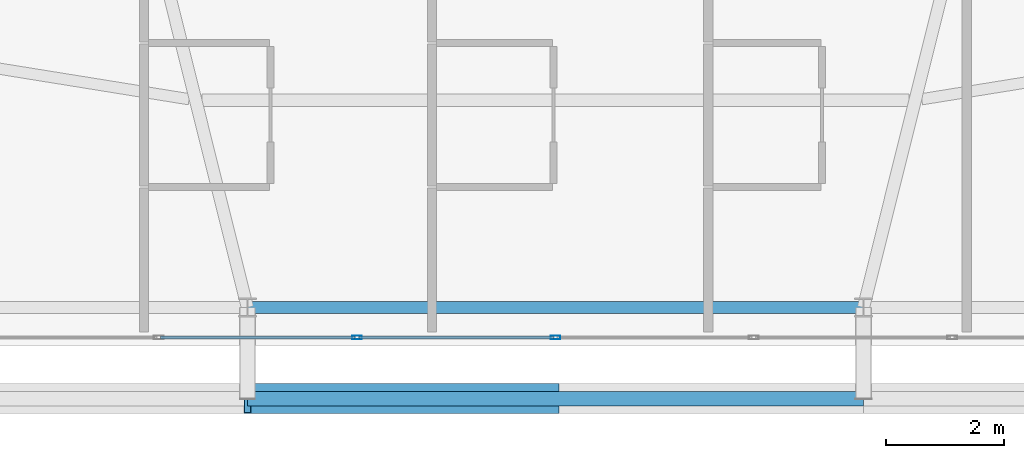
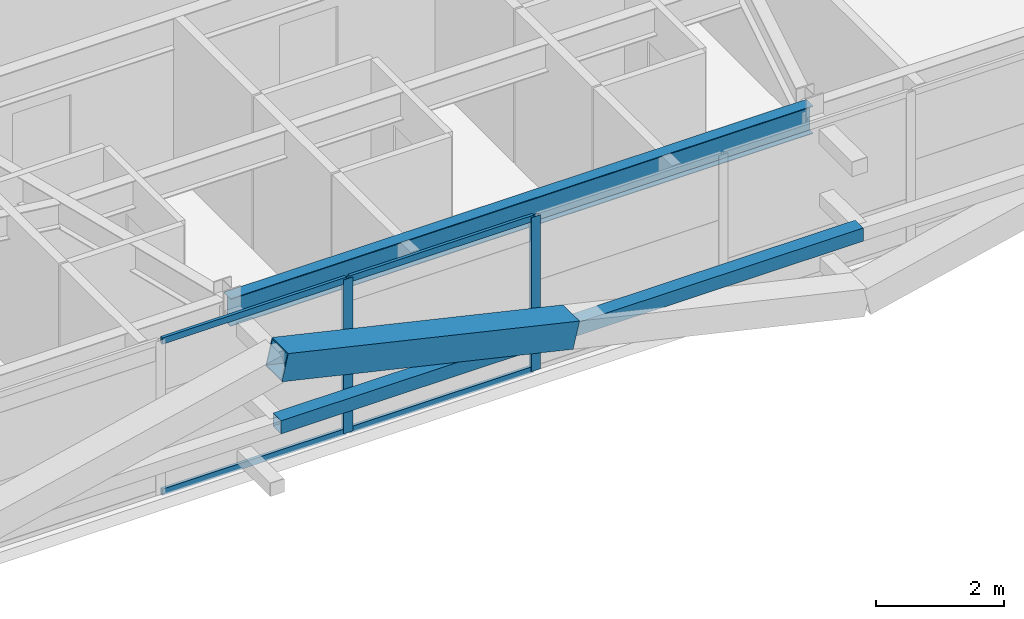
# One storey, part 12 of 59: 8 members, 1 beam, 1 element without a shape of its own.
"""IFC4 building model written with IfcOpenShell, lengths in metres."""

from ifc_helpers import new_model, si_unit, direction, frame, origin, origin_2d, place, context, subcontext, project, spatial, hollow_rectangle, i_section, extrude, source, transform, mapped, material, layer, layer_set, material_profile, profile_set, type_object, element, aggregate, save


model = new_model("IFC4")

# Units and contexts
model_context = context("Model", 3, precision=1e-05, world=origin(), true_north=direction((0.0, 1.0)))
body_context = subcontext(model_context, "Body", "Model", "MODEL_VIEW")
ifc_project = project(units=[si_unit("LENGTHUNIT", "METRE"), si_unit("AREAUNIT", "SQUARE_METRE"), si_unit("VOLUMEUNIT", "CUBIC_METRE"), si_unit("PLANEANGLEUNIT", "RADIAN"), si_unit("MASSUNIT", "GRAM", prefix="KILO")], contexts=[model_context])

# Site, building, storey
site_placement = place(None, origin())
site = spatial("IfcSite", under=ifc_project, at=site_placement, CompositionType="ELEMENT")
building_placement = place(site_placement, origin())
building = spatial("IfcBuilding", under=site, at=building_placement, Name="Taldren Reach Tower", CompositionType="ELEMENT")
storey_placement = place(building_placement, frame((0.0, 0.0, 19.949951171875)))
storey = spatial("IfcBuildingStorey", under=building, at=storey_placement, Name="L05", CompositionType="ELEMENT", Elevation=19.949951171875)

# Beam
ifc_material_1 = material(Name="Steel Gr 350 (350PLUS)", Category="steel")
ifc_material_profile_1 = material_profile(ifc_material_1, i_section(OverallWidth=0.208984375, OverallDepth=0.528076171875, WebThickness=0.009521484375, FlangeThickness=0.01318359375, at=origin_2d()), Name="530UB82.0")
ifc_profile_set_1 = profile_set([ifc_material_profile_1], Name="Steel Gr 350 (350PLUS)")
beam_type = type_object("IfcBeamType", Name="SP-UB530B", PredefinedType="SPANDREL", material=ifc_profile_set_1)
shared_shape_1 = source(origin(), body_context, "Body", "SweptSolid", [
    extrude(i_section(OverallWidth=0.208984375, OverallDepth=0.528076171875, WebThickness=0.009521484375, FlangeThickness=0.01318359375, at=origin_2d()), origin(), (0.0, 0.0, 1.0), 10.47998046875),
])
beam_placement = place(storey_placement, frame((29.760009765625, 2.14990234375, 2.666015625), z_axis=(1.0, 0.0, 0.0), x_axis=(0.0, 1.0, 0.0)))
element("IfcBeam", 1, at=beam_placement, inside=storey, type_object=beam_type, Name="Perimeter spandrel B1 S3-S4 L05", PredefinedType="SPANDREL", context=body_context, shape_type="MappedRepresentation", body=[
    mapped(shared_shape_1, transform((0.0, 0.0, 0.0), scale=1.0)),
])

# Members
ifc_material_2 = material(Name="Steel Gr 450 (C450L0)", Category="steel")
ifc_material_profile_2 = material_profile(ifc_material_2, hollow_rectangle(XDim=0.510009765625, YDim=0.510009765625, WallThickness=0.02001953125, at=origin_2d()), Name="510x510x20.0SHS")
ifc_profile_set_2 = profile_set([ifc_material_profile_2], Name="Steel Gr 450 (C450L0)")
member_type_1 = type_object("IfcMemberType", Name="MB-EXO508", PredefinedType="BRACE", material=ifc_profile_set_2)
shared_shape_2 = source(origin(), body_context, "Body", "SweptSolid", [
    extrude(hollow_rectangle(XDim=0.510009765625, YDim=0.510009765625, WallThickness=0.02001953125, at=origin_2d()), origin(), (0.0, 0.0, 1.0), 5.37890625),
])
member_1_placement = place(storey_placement, frame((35.0, 0.60009765625, 1.43505859375), z_axis=(-0.97415197996, 0.0, 0.225893603143), x_axis=(0.0, -1.0, 0.0)))
element("IfcMember", 2, at=member_1_placement, inside=storey, type_object=member_type_1, Name="Exoskeleton Diagrid Brace B1-S3 L05", PredefinedType="BRACE", context=body_context, shape_type="MappedRepresentation", body=[
    mapped(shared_shape_2, transform((0.0, 0.0, 0.0), scale=1.0)),
])
ifc_material_3 = material(Name="Steel Gr 350 (C350L0)", Category="steel")
ifc_material_profile_3 = material_profile(ifc_material_3, hollow_rectangle(XDim=0.25, YDim=0.25, WallThickness=0.010009765625, at=origin_2d()), Name="250x250x10.0SHS")
ifc_profile_set_3 = profile_set([ifc_material_profile_3], Name="Steel Gr 350 (C350L0)")
member_type_2 = type_object("IfcMemberType", Name="MB-POST250", PredefinedType="POST", material=ifc_profile_set_3)
shared_shape_3 = source(origin(), body_context, "Body", "SweptSolid", [
    extrude(hollow_rectangle(XDim=0.25, YDim=0.25, WallThickness=0.010009765625, at=origin_2d()), origin(), (0.0, 0.0, 1.0), 10.47998046875),
])
member_2_placement = place(storey_placement, frame((29.760009765625, 0.60009765625, 1.43505859375), z_axis=(1.0, 0.0, 0.0), x_axis=(0.0, 1.0, 0.0)))
element("IfcMember", 3, at=member_2_placement, inside=storey, type_object=member_type_2, Name="Exoskeleton mid-height ring chord B1-S3 L05", PredefinedType="POST", context=body_context, shape_type="MappedRepresentation", body=[
    mapped(shared_shape_3, transform((0.0, 0.0, 0.0), scale=1.0)),
])

# Curtain wall, members
ifc_material_4 = material(Name="Aluminium and Low-E Glass Unitised System", Category="aluminium")
ifc_layer = layer(ifc_material_4, 0.159912109375)
ifc_layer_set = layer_set([ifc_layer], Name="Aluminium and Low-E Glass Unitised System")
curtain_wall_type = type_object("IfcCurtainWallType", Name="CW-SYS-2", PredefinedType="NOTDEFINED", material=ifc_layer_set)
curtain_wall_placement = place(storey_placement, origin())
curtain_wall = element("IfcCurtainWall", 4, at=curtain_wall_placement, inside=storey, type_object=curtain_wall_type, Name="Unitised curtain wall CW-L05-S", PredefinedType="NOTDEFINED")
ifc_material_5 = material(Name="Anodised Aluminium 6063-T6", Category="aluminium")
ifc_material_profile_4 = material_profile(ifc_material_5, hollow_rectangle(XDim=0.06494140625, YDim=0.1650390625, WallThickness=0.00390625, at=origin_2d()), Name="ALU-165x65x4RHS")
ifc_profile_set_4 = profile_set([ifc_material_profile_4], Name="Anodised Aluminium 6063-T6")
member_type_3 = type_object("IfcMemberType", Name="CW-MUL-165", PredefinedType="MULLION", material=ifc_profile_set_4)
shared_shape_4 = source(origin(), body_context, "Body", "SweptSolid", [
    extrude(hollow_rectangle(XDim=0.06494140625, YDim=0.1650390625, WallThickness=0.00390625, at=origin_2d()), origin(), (0.0, 0.0, 1.0), 2.929931640625),
])
member_3_placement = place(storey_placement, frame((31.625, 1.639892578125, 0.0), z_axis=(0.0, 0.0, 1.0), x_axis=(0.0, 1.0, 0.0)))
member_3 = element("IfcMember", 5, at=member_3_placement, type_object=member_type_3, Name="CW-2 mullion 8", PredefinedType="MULLION", context=body_context, shape_type="MappedRepresentation", body=[
    mapped(shared_shape_4, transform((0.0, 0.0, 0.0), scale=1.0)),
])
member_4_placement = place(storey_placement, frame((35.0, 1.639892578125, 0.0), z_axis=(0.0, 0.0, 1.0), x_axis=(0.0, 1.0, 0.0)))
member_4 = element("IfcMember", 6, at=member_4_placement, type_object=member_type_3, Name="CW-2 mullion 9", PredefinedType="MULLION", context=body_context, shape_type="MappedRepresentation", body=[
    mapped(shared_shape_4, transform((0.0, 0.0, 0.0), scale=1.0)),
])
ifc_material_profile_5 = material_profile(ifc_material_5, hollow_rectangle(XDim=0.054931640625, YDim=0.1201171875, WallThickness=0.0029296875, at=origin_2d()), Name="ALU-120x55x3RHS")
ifc_profile_set_5 = profile_set([ifc_material_profile_5], Name="Anodised Aluminium 6063-T6")
member_type_4 = type_object("IfcMemberType", Name="CW-TRN-135", PredefinedType="USERDEFINED", material=ifc_profile_set_5)
shared_shape_5 = source(origin(), body_context, "Body", "SweptSolid", [
    extrude(hollow_rectangle(XDim=0.054931640625, YDim=0.1201171875, WallThickness=0.0029296875, at=origin_2d()), origin(), (0.0, 0.0, 1.0), 3.31005859375),
])
member_5_placement = place(storey_placement, frame((28.282470703125, 1.639892578125, 0.027587890625), z_axis=(1.0, 0.0, 0.0), x_axis=(0.0, 1.0, 0.0)))
member_5 = element("IfcMember", 7, at=member_5_placement, type_object=member_type_4, Name="CW-2 transom 7.1", ObjectType="TRANSOM", PredefinedType="USERDEFINED", context=body_context, shape_type="MappedRepresentation", body=[
    mapped(shared_shape_5, transform((0.0, 0.0, 0.0), scale=1.0)),
])
member_6_placement = place(storey_placement, frame((28.282470703125, 1.639892578125, 2.902587890625), z_axis=(1.0, 0.0, 0.0), x_axis=(0.0, 1.0, 0.0)))
member_6 = element("IfcMember", 8, at=member_6_placement, type_object=member_type_4, Name="CW-2 transom 7.2", ObjectType="TRANSOM", PredefinedType="USERDEFINED", context=body_context, shape_type="MappedRepresentation", body=[
    mapped(shared_shape_5, transform((0.0, 0.0, 0.0), scale=1.0)),
])
member_7_placement = place(storey_placement, frame((31.657470703125, 1.639892578125, 0.027587890625), z_axis=(1.0, 0.0, 0.0), x_axis=(0.0, 1.0, 0.0)))
member_7 = element("IfcMember", 9, at=member_7_placement, type_object=member_type_4, Name="CW-2 transom 8.1", ObjectType="TRANSOM", PredefinedType="USERDEFINED", context=body_context, shape_type="MappedRepresentation", body=[
    mapped(shared_shape_5, transform((0.0, 0.0, 0.0), scale=1.0)),
])
member_8_placement = place(storey_placement, frame((31.657470703125, 1.639892578125, 2.902587890625), z_axis=(1.0, 0.0, 0.0), x_axis=(0.0, 1.0, 0.0)))
member_8 = element("IfcMember", 10, at=member_8_placement, type_object=member_type_4, Name="CW-2 transom 8.2", ObjectType="TRANSOM", PredefinedType="USERDEFINED", context=body_context, shape_type="MappedRepresentation", body=[
    mapped(shared_shape_5, transform((0.0, 0.0, 0.0), scale=1.0)),
])
aggregate(curtain_wall, [member_3, member_4, member_5, member_6, member_7, member_8])

save(model, "model.ifc")
